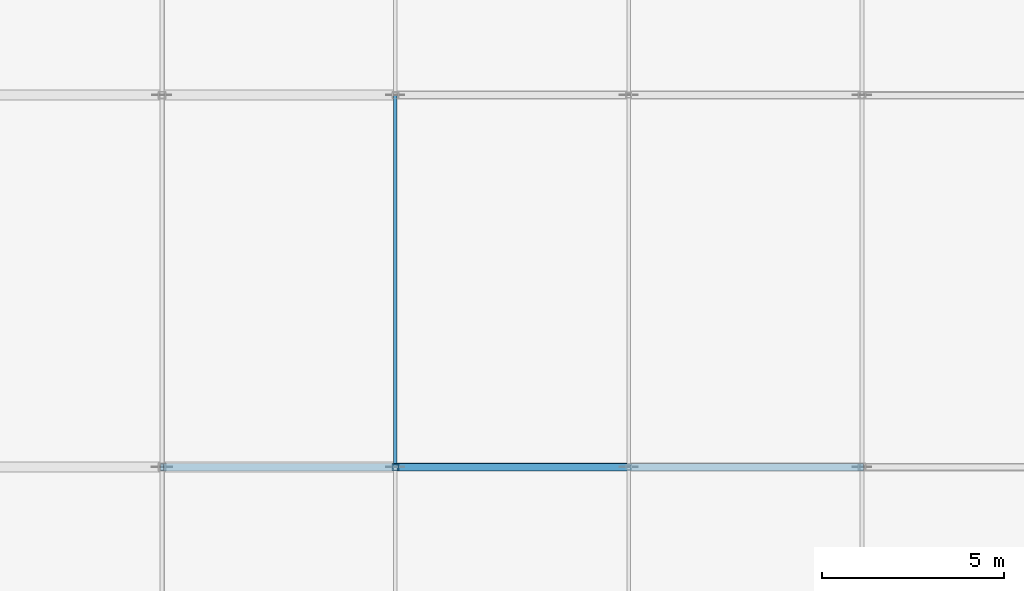
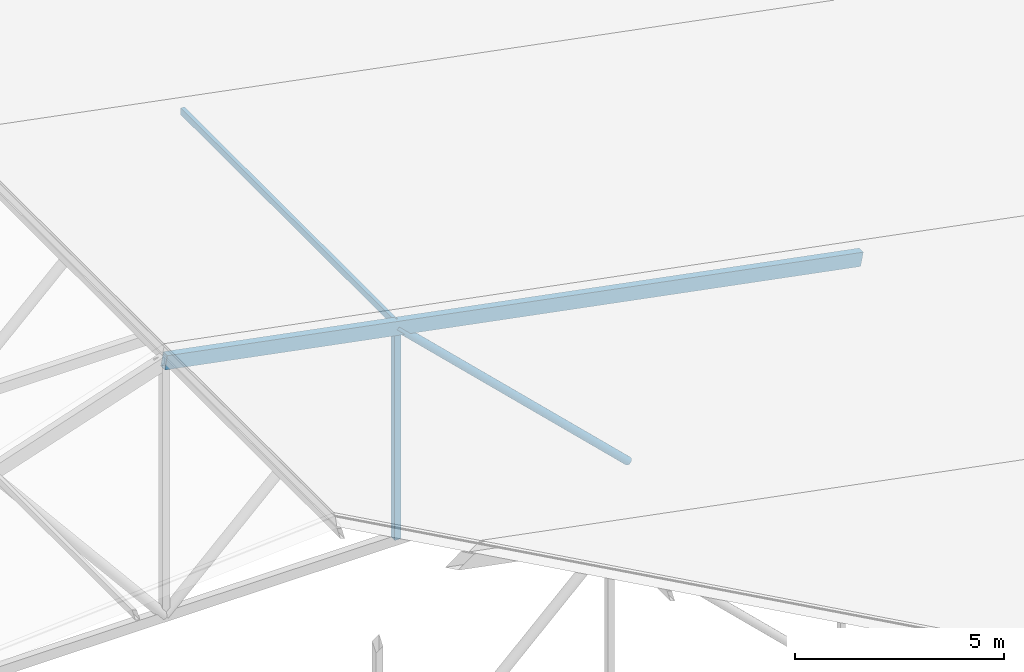
# One storey, part 50 of 200: 4 members.
"""IFC4 building model written with IfcOpenShell, lengths in metres."""

from ifc_helpers import new_model, si_unit, direction, frame, origin, origin_2d, place, context, subcontext, project, spatial, hollow_rectangle, hollow_circle, extrude, material, material_profile, profile_set, type_object, element, save


model = new_model("IFC4")

# Units and contexts
model_context = context("Model", 3, precision=1e-05, world=origin(), true_north=direction((0.0, 1.0)))
body_context = subcontext(model_context, "Body", "Model", "MODEL_VIEW")
ifc_project = project(units=[si_unit("LENGTHUNIT", "METRE"), si_unit("AREAUNIT", "SQUARE_METRE"), si_unit("VOLUMEUNIT", "CUBIC_METRE"), si_unit("PLANEANGLEUNIT", "RADIAN"), si_unit("MASSUNIT", "GRAM", prefix="KILO")], contexts=[model_context])

# Site, building, storey
site_placement = place(None, origin())
site = spatial("IfcSite", under=ifc_project, at=site_placement, CompositionType="ELEMENT")
building_placement = place(site_placement, origin())
building = spatial("IfcBuilding", under=site, at=building_placement, Name="Vondelvale Polytechnic", CompositionType="ELEMENT")
storey_placement = place(building_placement, frame((0.0, 0.0, 13.800048828125)))
storey = spatial("IfcBuildingStorey", under=building, at=storey_placement, Name="L03", CompositionType="ELEMENT", Elevation=13.800048828125)

# Members
ifc_material = material(Name="Steel C350L0 (fy = 350 MPa)", Category="steel")
ifc_material_profile_1 = material_profile(ifc_material, hollow_rectangle(XDim=0.10009765625, YDim=0.199951171875, WallThickness=0.006103515625, at=origin_2d()), Name="200x100x6.0RHS")
ifc_profile_set_1 = profile_set([ifc_material_profile_1], Name="Steel C350L0 (fy = 350 MPa)")
member_type_1 = type_object("IfcMemberType", Name="PURLIN RHS200", PredefinedType="PURLIN", material=ifc_profile_set_1)
member_1_placement = place(storey_placement, frame((16.0, 81.60009765625, 5.847900390625), z_axis=(0.0, 1.0, 0.0), x_axis=(-1.0, 0.0, 0.0)))
element("IfcMember", 1, at=member_1_placement, inside=storey, type_object=member_type_1, Name="Workshop roof purlin bay 4", PredefinedType="PURLIN", context=body_context, shape_type="SweptSolid", body=[
    extrude(hollow_rectangle(XDim=0.10009765625, YDim=0.199951171875, WallThickness=0.006103515625, at=origin_2d()), origin(), (0.0, 0.0, 1.0), 10.199951171875),
])
ifc_material_profile_2 = material_profile(ifc_material, hollow_circle(Radius=0.109619140625, WallThickness=0.00830078125, at=origin_2d()), Name="219.1x8.2CHS")
ifc_profile_set_2 = profile_set([ifc_material_profile_2], Name="Steel C350L0 (fy = 350 MPa)")
member_type_2 = type_object("IfcMemberType", Name="ROOF TRUSS BRACE 219CHS", PredefinedType="BRACE", material=ifc_profile_set_2)
member_2_placement = place(storey_placement, frame((16.0, 81.60009765625, 5.74658203125), z_axis=(0.720102098263, 0.0, -0.69386812009), x_axis=(0.0, 1.0, 0.0)))
element("IfcMember", 2, at=member_2_placement, inside=storey, type_object=member_type_2, Name="ROOF TRUSS TR-04 web diagonal 4", PredefinedType="BRACE", context=body_context, shape_type="SweptSolid", body=[
    extrude(hollow_circle(Radius=0.109619140625, WallThickness=0.00830078125, at=origin_2d()), origin(), (0.0, 0.0, 1.0), 8.887451171875),
])
ifc_material_profile_3 = material_profile(ifc_material, hollow_rectangle(XDim=0.175048828125, YDim=0.175048828125, WallThickness=0.006103515625, at=origin_2d()), Name="175x175x6.0SHS")
ifc_profile_set_3 = profile_set([ifc_material_profile_3], Name="Steel C350L0 (fy = 350 MPa)")
member_type_3 = type_object("IfcMemberType", Name="ROOF TRUSS POST 175SHS", PredefinedType="POST", material=ifc_profile_set_3)
member_3_placement = place(storey_placement, frame((16.0, 81.60009765625, -0.420166015625), z_axis=(0.0, 0.0, 1.0), x_axis=(1.0, 0.0, 0.0)))
element("IfcMember", 3, at=member_3_placement, inside=storey, type_object=member_type_3, Name="ROOF TRUSS TR-04 vertical post 3", PredefinedType="POST", context=body_context, shape_type="SweptSolid", body=[
    extrude(hollow_rectangle(XDim=0.175048828125, YDim=0.175048828125, WallThickness=0.006103515625, at=origin_2d()), origin(), (0.0, 0.0, 1.0), 6.166748046875),
])
ifc_material_profile_4 = material_profile(ifc_material, hollow_rectangle(XDim=0.199951171875, YDim=0.39990234375, WallThickness=0.010009765625, at=origin_2d()), Name="400x200x10.0RHS")
ifc_profile_set_4 = profile_set([ifc_material_profile_4], Name="Steel C350L0 (fy = 350 MPa)")
member_type_4 = type_object("IfcMemberType", Name="ROOF TRUSS TOP CHORD 400RHS", PredefinedType="CHORD", material=ifc_profile_set_4)
member_4_placement = place(storey_placement, frame((9.60009765625, 81.60009765625, 6.97998046875), z_axis=(0.981933791982, 0.0, -0.189224808533), x_axis=(0.0, 1.0, 0.0)))
element("IfcMember", 4, at=member_4_placement, inside=storey, type_object=member_type_4, Name="ROOF TRUSS TR-04 top chord 3", PredefinedType="CHORD", context=body_context, shape_type="SweptSolid", body=[
    extrude(hollow_rectangle(XDim=0.199951171875, YDim=0.39990234375, WallThickness=0.010009765625, at=origin_2d()), origin(), (0.0, 0.0, 1.0), 19.55322265625),
])

save(model, "model.ifc")
